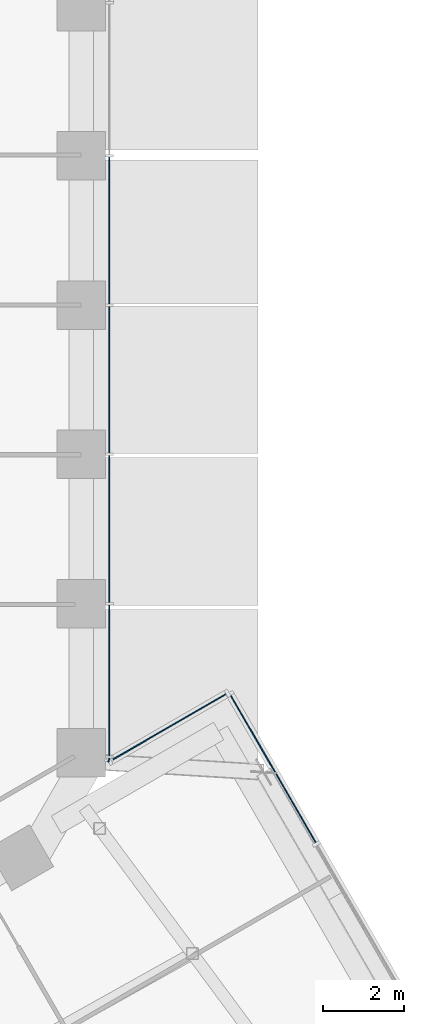
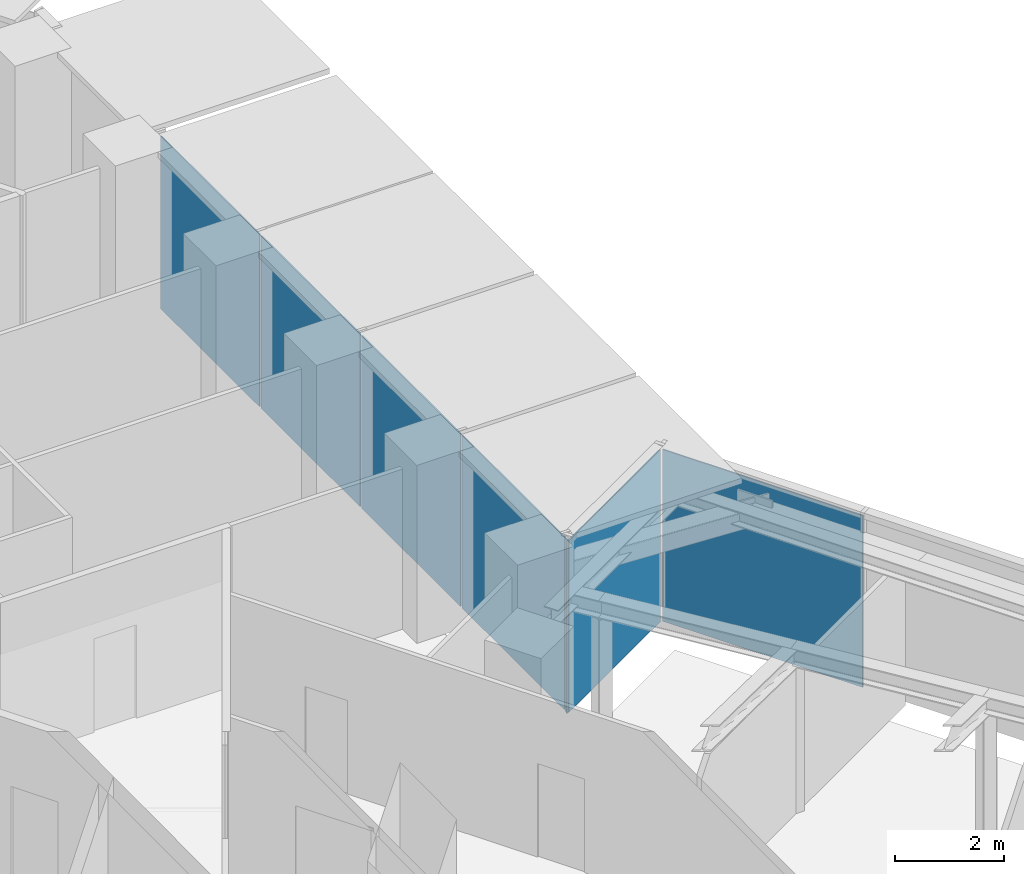
# One storey, part 15 of 28: 7 plates, 4 elements without a shape of their own.
"""IFC4 building model written with IfcOpenShell, lengths in metres."""

from ifc_helpers import new_model, si_unit, direction, frame, origin, origin_2d, place, context, subcontext, project, spatial, rectangle, extrude, material, layer, layer_set, type_object, element, aggregate, save


model = new_model("IFC4")

# Units and contexts
model_context = context("Model", 3, precision=1e-05, world=origin(), true_north=direction((0.0, 1.0)))
body_context = subcontext(model_context, "Body", "Model", "MODEL_VIEW")
ifc_project = project(units=[si_unit("LENGTHUNIT", "METRE"), si_unit("AREAUNIT", "SQUARE_METRE"), si_unit("VOLUMEUNIT", "CUBIC_METRE"), si_unit("PLANEANGLEUNIT", "RADIAN"), si_unit("MASSUNIT", "GRAM", prefix="KILO")], contexts=[model_context])

# Site, building, storey
site_placement = place(None, origin())
site = spatial("IfcSite", under=ifc_project, at=site_placement, CompositionType="ELEMENT")
building_placement = place(site_placement, origin())
building = spatial("IfcBuilding", under=site, at=building_placement, Name="Ayvan Gate Tower", CompositionType="ELEMENT")
storey_placement = place(building_placement, frame((0.0, 0.0, 74.300048828125)))
storey = spatial("IfcBuildingStorey", under=building, at=storey_placement, Name="L19", CompositionType="ELEMENT", Elevation=74.300048828125)

# Curtain wall, plates
ifc_material_1 = material(Name="Bronze anodised aluminium", Category="aluminium")
ifc_layer_1 = layer(ifc_material_1, 0.199951171875)
ifc_layer_set_1 = layer_set([ifc_layer_1], Name="Bronze anodised aluminium")
curtain_wall_type_1 = type_object("IfcCurtainWallType", Name="Stick curtain wall CW-1", PredefinedType="NOTDEFINED", material=ifc_layer_set_1)
curtain_wall_1_placement = place(storey_placement, origin())
curtain_wall_1 = element("IfcCurtainWall", 1, at=curtain_wall_1_placement, inside=storey, type_object=curtain_wall_type_1, Name="Stick curtain wall CW-1 L19", PredefinedType="NOTDEFINED")
ifc_material_2 = material(Name="Clear low-iron laminated glass", Category="glass")
ifc_layer_2 = layer(ifc_material_2, 0.028076171875)
ifc_layer_set_2 = layer_set([ifc_layer_2], Name="Clear low-iron laminated glass")
plate_type_1 = type_object("IfcPlateType", Name="Stick curtain wall CW-1 glass panel", PredefinedType="CURTAIN_PANEL", material=ifc_layer_set_2)
plate_1_placement = place(storey_placement, frame((21.484619140625, -7.46142578125, 0.0), z_axis=(0.0, 0.0, 1.0), x_axis=(0.0, 1.0, 0.0)))
plate_1 = element("IfcPlate", 2, at=plate_1_placement, type_object=plate_type_1, Name="CW-1 glass panel 1", PredefinedType="CURTAIN_PANEL", context=body_context, shape_type="SweptSolid", body=[
    extrude(rectangle(XDim=3.77001953125, YDim=0.028076171875, at=origin_2d()), origin(), (0.0, 0.0, 1.0), 3.8798828125),
])
plate_2_placement = place(storey_placement, frame((21.484619140625, -3.697509765625, 0.0), z_axis=(0.0, 0.0, 1.0), x_axis=(0.0, 1.0, 0.0)))
plate_2 = element("IfcPlate", 3, at=plate_2_placement, type_object=plate_type_1, Name="CW-1 glass panel 2", PredefinedType="CURTAIN_PANEL", context=body_context, shape_type="SweptSolid", body=[
    extrude(rectangle(XDim=3.637939453125, YDim=0.028076171875, at=origin_2d()), origin(), (0.0, 0.0, 1.0), 3.8798828125),
])
plate_3_placement = place(storey_placement, frame((21.484619140625, 0.0, 0.0), z_axis=(0.0, 0.0, 1.0), x_axis=(0.0, 1.0, 0.0)))
plate_3 = element("IfcPlate", 4, at=plate_3_placement, type_object=plate_type_1, Name="CW-1 glass panel 3", PredefinedType="CURTAIN_PANEL", context=body_context, shape_type="SweptSolid", body=[
    extrude(rectangle(XDim=3.636962890625, YDim=0.028076171875, at=origin_2d()), origin(), (0.0, 0.0, 1.0), 3.8798828125),
])
plate_4_placement = place(storey_placement, frame((21.484619140625, 3.697509765625, 0.0), z_axis=(0.0, 0.0, 1.0), x_axis=(0.0, 1.0, 0.0)))
plate_4 = element("IfcPlate", 5, at=plate_4_placement, type_object=plate_type_1, Name="CW-1 glass panel 4", PredefinedType="CURTAIN_PANEL", context=body_context, shape_type="SweptSolid", body=[
    extrude(rectangle(XDim=3.637939453125, YDim=0.028076171875, at=origin_2d()), origin(), (0.0, 0.0, 1.0), 3.8798828125),
])
aggregate(curtain_wall_1, [plate_1, plate_2, plate_3, plate_4])

# Curtain wall, plate
ifc_layer_3 = layer(ifc_material_1, 0.199951171875)
ifc_layer_set_3 = layer_set([ifc_layer_3], Name="Bronze anodised aluminium")
curtain_wall_type_2 = type_object("IfcCurtainWallType", Name="Stick curtain wall CW-4", PredefinedType="NOTDEFINED", material=ifc_layer_set_3)
curtain_wall_2_placement = place(storey_placement, origin())
curtain_wall_2 = element("IfcCurtainWall", 6, at=curtain_wall_2_placement, inside=storey, type_object=curtain_wall_type_2, Name="Stick curtain wall CW-4 L19", PredefinedType="NOTDEFINED")
ifc_material_3 = material(Name="Pale anodised aluminium composite panel", Category="aluminium")
ifc_layer_4 = layer(ifc_material_3, 0.028076171875)
ifc_layer_set_4 = layer_set([ifc_layer_4], Name="Pale anodised aluminium composite panel")
plate_type_2 = type_object("IfcPlateType", Name="Stick curtain wall CW-4 solid panel", PredefinedType="CURTAIN_PANEL", material=ifc_layer_set_4)
plate_5_placement = place(storey_placement, frame((25.532470703125, -9.623291015625, 0.0), z_axis=(0.0, 0.0, 1.0), x_axis=(-0.5, 0.866025403784, 0.0)))
plate_5 = element("IfcPlate", 7, at=plate_5_placement, type_object=plate_type_2, Name="CW-4 solid panel 4", PredefinedType="CURTAIN_PANEL", context=body_context, shape_type="SweptSolid", body=[
    extrude(rectangle(XDim=4.2548828125, YDim=0.028076171875, at=origin_2d()), origin(), (0.0, 0.0, 1.0), 3.860107421875),
])
aggregate(curtain_wall_2, [plate_5])

curtain_wall_3_placement = place(storey_placement, origin())
curtain_wall_3 = element("IfcCurtainWall", 8, at=curtain_wall_3_placement, inside=storey, type_object=curtain_wall_type_2, Name="Stick curtain wall CW-4 L19", PredefinedType="NOTDEFINED")
plate_6_placement = place(storey_placement, frame((22.953857421875, -8.609375, 0.0), z_axis=(0.0, 0.0, 1.0), x_axis=(-0.866025403784, -0.5, 0.0)))
plate_6 = element("IfcPlate", 9, at=plate_6_placement, type_object=plate_type_2, Name="CW-4 solid panel 1", PredefinedType="CURTAIN_PANEL", context=body_context, shape_type="SweptSolid", body=[
    extrude(rectangle(XDim=3.372314453125, YDim=0.028076171875, at=origin_2d()), origin(), (0.0, 0.0, 1.0), 3.860107421875),
])
aggregate(curtain_wall_3, [plate_6])

ifc_layer_5 = layer(ifc_material_1, 0.199951171875)
ifc_layer_set_5 = layer_set([ifc_layer_5], Name="Bronze anodised aluminium")
curtain_wall_type_3 = type_object("IfcCurtainWallType", Name="Stick curtain wall CW-6", PredefinedType="NOTDEFINED", material=ifc_layer_set_5)
curtain_wall_4_placement = place(storey_placement, origin())
curtain_wall_4 = element("IfcCurtainWall", 10, at=curtain_wall_4_placement, inside=storey, type_object=curtain_wall_type_3, Name="Stick curtain wall CW-6 L19", PredefinedType="NOTDEFINED")
ifc_layer_6 = layer(ifc_material_2, 0.028076171875)
ifc_layer_set_6 = layer_set([ifc_layer_6], Name="Clear low-iron laminated glass")
plate_type_3 = type_object("IfcPlateType", Name="Stick curtain wall CW-6 glass panel", PredefinedType="CURTAIN_PANEL", material=ifc_layer_set_6)
plate_7_placement = place(storey_placement, frame((21.4716796875, -9.424560546875, 0.0), z_axis=(0.0, 0.0, 1.0), x_axis=(0.258819045103, 0.965925826289, 0.0)))
plate_7 = element("IfcPlate", 11, at=plate_7_placement, type_object=plate_type_3, Name="CW-6 glass panel 1", PredefinedType="CURTAIN_PANEL", context=body_context, shape_type="SweptSolid", body=[
    extrude(rectangle(XDim=0.099365234375, YDim=0.028076171875, at=origin_2d()), origin(), (0.0, 0.0, 1.0), 3.8798828125),
])
aggregate(curtain_wall_4, [plate_7])

save(model, "model.ifc")
